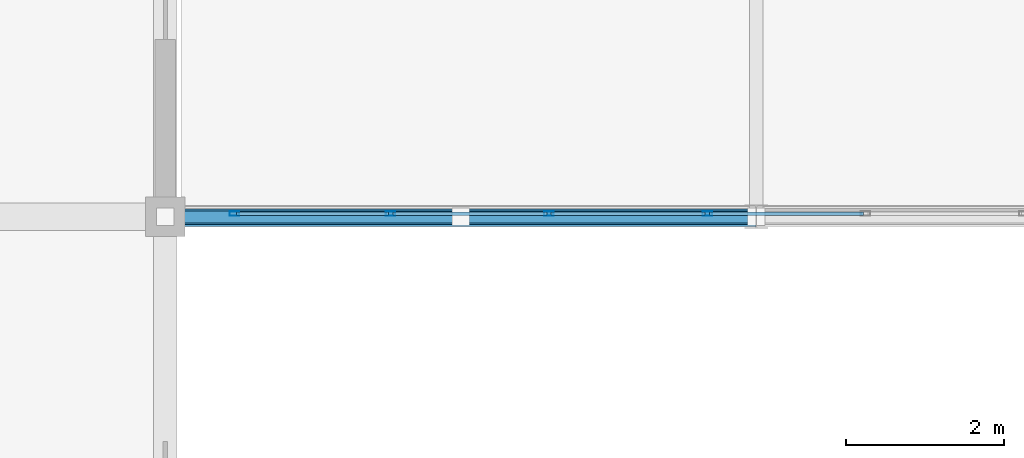
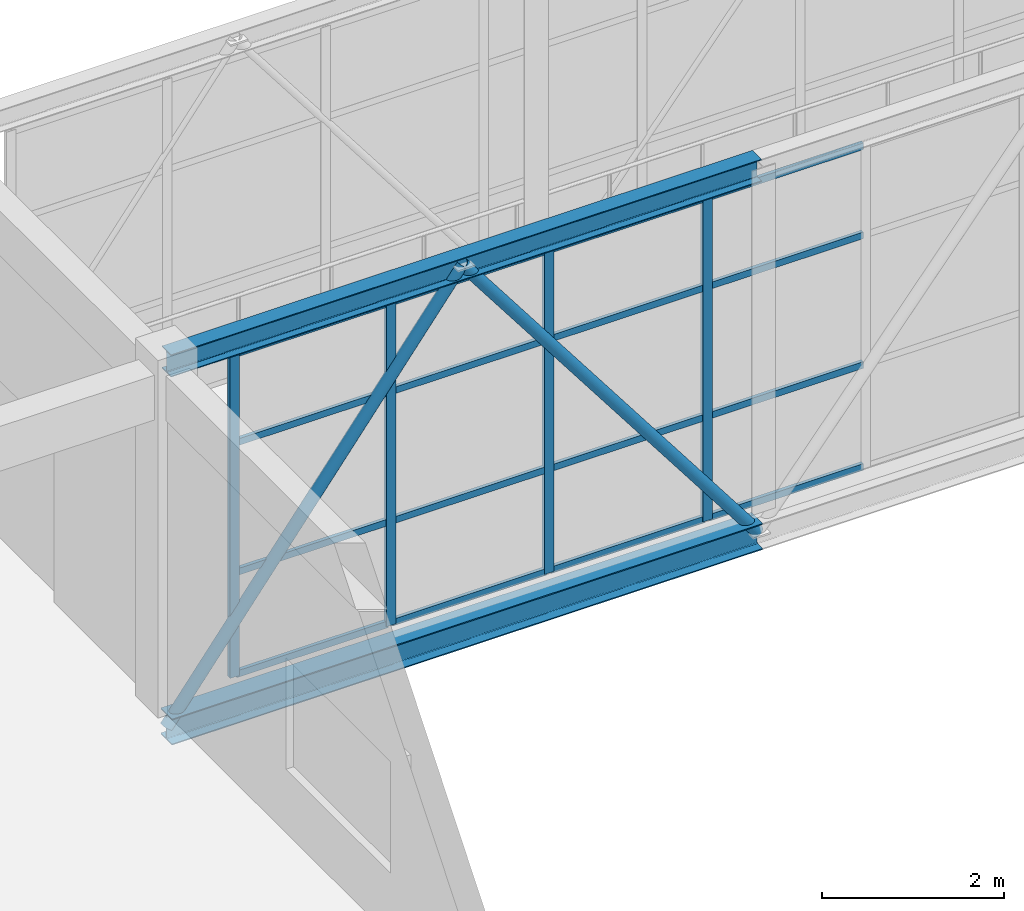
# One storey, part 23 of 248: 24 members, 1 element without a shape of its own.
"""IFC4 building model written with IfcOpenShell, lengths in metres."""

from ifc_helpers import new_model, si_unit, direction, frame, origin, origin_2d, place, context, subcontext, project, spatial, hollow_rectangle, hollow_circle, i_section, extrude, material, layer, layer_set, material_profile, profile_set, type_object, element, aggregate, save


model = new_model("IFC4")

# Units and contexts
model_context = context("Model", 3, precision=1e-05, world=origin(), true_north=direction((0.0, 1.0)))
body_context = subcontext(model_context, "Body", "Model", "MODEL_VIEW")
ifc_project = project(units=[si_unit("LENGTHUNIT", "METRE"), si_unit("AREAUNIT", "SQUARE_METRE"), si_unit("VOLUMEUNIT", "CUBIC_METRE"), si_unit("PLANEANGLEUNIT", "RADIAN"), si_unit("MASSUNIT", "GRAM", prefix="KILO")], contexts=[model_context])

# Site, building, storey
site_placement = place(None, origin())
site = spatial("IfcSite", under=ifc_project, at=site_placement, CompositionType="ELEMENT")
building_placement = place(site_placement, origin())
building = spatial("IfcBuilding", under=site, at=building_placement, Name="Canggui Botanical Conservatory", CompositionType="ELEMENT")
storey_placement = place(building_placement, frame((0.0, 0.0, 5.39990234375)))
storey = spatial("IfcBuildingStorey", under=building, at=storey_placement, Name="L02", CompositionType="ELEMENT", Elevation=5.39990234375)

# Curtain wall, members
ifc_material_1 = material(Name="Thermally Broken Aluminium", Category="aluminium")
ifc_layer = layer(ifc_material_1, 0.1201171875, Name="Thermally Broken Aluminium", Category="aluminium")
ifc_layer_set = layer_set([ifc_layer], Name="Thermally Broken Aluminium")
curtain_wall_type = type_object("IfcCurtainWallType", Name="CW-STICK-B", PredefinedType="USERDEFINED", material=ifc_layer_set)
curtain_wall_placement = place(storey_placement, origin())
curtain_wall = element("IfcCurtainWall", 1, at=curtain_wall_placement, inside=storey, type_object=curtain_wall_type, Name="Facade Curtain Wall CW-SB-01-1", ObjectType="STICK GLAZED WALL", PredefinedType="USERDEFINED")
ifc_material_profile_1 = material_profile(ifc_material_1, hollow_rectangle(XDim=0.054931640625, YDim=0.1201171875, WallThickness=0.0029296875, at=origin_2d()), Name="CWM 55x120x3")
ifc_profile_set_1 = profile_set([ifc_material_profile_1], Name="Thermally Broken Aluminium")
member_type_1 = type_object("IfcMemberType", Name="CWM-05", PredefinedType="MULLION", material=ifc_profile_set_1)
member_1_placement = place(storey_placement, frame((66.87744140625, 26.0400390625, 0.0), z_axis=(0.0, 0.0, 1.0), x_axis=(0.0, 1.0, 0.0)))
member_1 = element("IfcMember", 2, at=member_1_placement, type_object=member_type_1, Name="CW-05 mullion 1", PredefinedType="MULLION", context=body_context, shape_type="SweptSolid", body=[
    extrude(hollow_rectangle(XDim=0.054931640625, YDim=0.1201171875, WallThickness=0.0029296875, at=origin_2d()), origin(), (0.0, 0.0, 1.0), 4.35009765625),
])
member_2_placement = place(storey_placement, frame((68.859619140625, 26.0400390625, 0.0), z_axis=(0.0, 0.0, 1.0), x_axis=(0.0, 1.0, 0.0)))
member_2 = element("IfcMember", 3, at=member_2_placement, type_object=member_type_1, Name="CW-05 mullion 2", PredefinedType="MULLION", context=body_context, shape_type="SweptSolid", body=[
    extrude(hollow_rectangle(XDim=0.054931640625, YDim=0.1201171875, WallThickness=0.0029296875, at=origin_2d()), origin(), (0.0, 0.0, 1.0), 4.35009765625),
])
member_3_placement = place(storey_placement, frame((70.869384765625, 26.0400390625, 0.0), z_axis=(0.0, 0.0, 1.0), x_axis=(0.0, 1.0, 0.0)))
member_3 = element("IfcMember", 4, at=member_3_placement, type_object=member_type_1, Name="CW-05 mullion 3", PredefinedType="MULLION", context=body_context, shape_type="SweptSolid", body=[
    extrude(hollow_rectangle(XDim=0.054931640625, YDim=0.1201171875, WallThickness=0.0029296875, at=origin_2d()), origin(), (0.0, 0.0, 1.0), 4.35009765625),
])
member_4_placement = place(storey_placement, frame((72.879150390625, 26.0400390625, 0.0), z_axis=(0.0, 0.0, 1.0), x_axis=(0.0, 1.0, 0.0)))
member_4 = element("IfcMember", 5, at=member_4_placement, type_object=member_type_1, Name="CW-05 mullion 4", PredefinedType="MULLION", context=body_context, shape_type="SweptSolid", body=[
    extrude(hollow_rectangle(XDim=0.054931640625, YDim=0.1201171875, WallThickness=0.0029296875, at=origin_2d()), origin(), (0.0, 0.0, 1.0), 4.35009765625),
])
ifc_material_profile_2 = material_profile(ifc_material_1, hollow_rectangle(XDim=0.044921875, YDim=0.090087890625, WallThickness=0.0029296875, at=origin_2d()), Name="CWT 45x90x3")
ifc_profile_set_2 = profile_set([ifc_material_profile_2], Name="Thermally Broken Aluminium")
member_type_2 = type_object("IfcMemberType", Name="CWT-05", PredefinedType="USERDEFINED", material=ifc_profile_set_2)
member_5_placement = place(storey_placement, frame((66.905029296875, 26.0400390625, 0.022705078125), z_axis=(1.0, 0.0, 0.0), x_axis=(0.0, 1.0, 0.0)))
member_5 = element("IfcMember", 6, at=member_5_placement, type_object=member_type_2, Name="CW-05 transom 1.1", ObjectType="TRANSOM", PredefinedType="USERDEFINED", context=body_context, shape_type="SweptSolid", body=[
    extrude(hollow_rectangle(XDim=0.044921875, YDim=0.090087890625, WallThickness=0.0029296875, at=origin_2d()), origin(), (0.0, 0.0, 1.0), 1.92724609375),
])
member_6_placement = place(storey_placement, frame((66.905029296875, 26.0400390625, 1.39208984375), z_axis=(1.0, 0.0, 0.0), x_axis=(0.0, 1.0, 0.0)))
member_6 = element("IfcMember", 7, at=member_6_placement, type_object=member_type_2, Name="CW-05 transom 1.2", ObjectType="TRANSOM", PredefinedType="USERDEFINED", context=body_context, shape_type="SweptSolid", body=[
    extrude(hollow_rectangle(XDim=0.044921875, YDim=0.090087890625, WallThickness=0.0029296875, at=origin_2d()), origin(), (0.0, 0.0, 1.0), 1.92724609375),
])
member_7_placement = place(storey_placement, frame((66.905029296875, 26.0400390625, 3.132080078125), z_axis=(1.0, 0.0, 0.0), x_axis=(0.0, 1.0, 0.0)))
member_7 = element("IfcMember", 8, at=member_7_placement, type_object=member_type_2, Name="CW-05 transom 1.3", ObjectType="TRANSOM", PredefinedType="USERDEFINED", context=body_context, shape_type="SweptSolid", body=[
    extrude(hollow_rectangle(XDim=0.044921875, YDim=0.090087890625, WallThickness=0.0029296875, at=origin_2d()), origin(), (0.0, 0.0, 1.0), 1.92724609375),
])
member_8_placement = place(storey_placement, frame((66.905029296875, 26.0400390625, 4.32763671875), z_axis=(1.0, 0.0, 0.0), x_axis=(0.0, 1.0, 0.0)))
member_8 = element("IfcMember", 9, at=member_8_placement, type_object=member_type_2, Name="CW-05 transom 1.4", ObjectType="TRANSOM", PredefinedType="USERDEFINED", context=body_context, shape_type="SweptSolid", body=[
    extrude(hollow_rectangle(XDim=0.044921875, YDim=0.090087890625, WallThickness=0.0029296875, at=origin_2d()), origin(), (0.0, 0.0, 1.0), 1.92724609375),
])
member_9_placement = place(storey_placement, frame((68.88720703125, 26.0400390625, 0.022705078125), z_axis=(1.0, 0.0, 0.0), x_axis=(0.0, 1.0, 0.0)))
member_9 = element("IfcMember", 10, at=member_9_placement, type_object=member_type_2, Name="CW-05 transom 2.1", ObjectType="TRANSOM", PredefinedType="USERDEFINED", context=body_context, shape_type="SweptSolid", body=[
    extrude(hollow_rectangle(XDim=0.044921875, YDim=0.090087890625, WallThickness=0.0029296875, at=origin_2d()), origin(), (0.0, 0.0, 1.0), 1.95458984375),
])
member_10_placement = place(storey_placement, frame((68.88720703125, 26.0400390625, 1.39208984375), z_axis=(1.0, 0.0, 0.0), x_axis=(0.0, 1.0, 0.0)))
member_10 = element("IfcMember", 11, at=member_10_placement, type_object=member_type_2, Name="CW-05 transom 2.2", ObjectType="TRANSOM", PredefinedType="USERDEFINED", context=body_context, shape_type="SweptSolid", body=[
    extrude(hollow_rectangle(XDim=0.044921875, YDim=0.090087890625, WallThickness=0.0029296875, at=origin_2d()), origin(), (0.0, 0.0, 1.0), 1.95458984375),
])
member_11_placement = place(storey_placement, frame((68.88720703125, 26.0400390625, 3.132080078125), z_axis=(1.0, 0.0, 0.0), x_axis=(0.0, 1.0, 0.0)))
member_11 = element("IfcMember", 12, at=member_11_placement, type_object=member_type_2, Name="CW-05 transom 2.3", ObjectType="TRANSOM", PredefinedType="USERDEFINED", context=body_context, shape_type="SweptSolid", body=[
    extrude(hollow_rectangle(XDim=0.044921875, YDim=0.090087890625, WallThickness=0.0029296875, at=origin_2d()), origin(), (0.0, 0.0, 1.0), 1.95458984375),
])
member_12_placement = place(storey_placement, frame((68.88720703125, 26.0400390625, 4.32763671875), z_axis=(1.0, 0.0, 0.0), x_axis=(0.0, 1.0, 0.0)))
member_12 = element("IfcMember", 13, at=member_12_placement, type_object=member_type_2, Name="CW-05 transom 2.4", ObjectType="TRANSOM", PredefinedType="USERDEFINED", context=body_context, shape_type="SweptSolid", body=[
    extrude(hollow_rectangle(XDim=0.044921875, YDim=0.090087890625, WallThickness=0.0029296875, at=origin_2d()), origin(), (0.0, 0.0, 1.0), 1.95458984375),
])
member_13_placement = place(storey_placement, frame((70.89697265625, 26.0400390625, 0.022705078125), z_axis=(1.0, 0.0, 0.0), x_axis=(0.0, 1.0, 0.0)))
member_13 = element("IfcMember", 14, at=member_13_placement, type_object=member_type_2, Name="CW-05 transom 3.1", ObjectType="TRANSOM", PredefinedType="USERDEFINED", context=body_context, shape_type="SweptSolid", body=[
    extrude(hollow_rectangle(XDim=0.044921875, YDim=0.090087890625, WallThickness=0.0029296875, at=origin_2d()), origin(), (0.0, 0.0, 1.0), 1.95458984375),
])
member_14_placement = place(storey_placement, frame((70.89697265625, 26.0400390625, 1.39208984375), z_axis=(1.0, 0.0, 0.0), x_axis=(0.0, 1.0, 0.0)))
member_14 = element("IfcMember", 15, at=member_14_placement, type_object=member_type_2, Name="CW-05 transom 3.2", ObjectType="TRANSOM", PredefinedType="USERDEFINED", context=body_context, shape_type="SweptSolid", body=[
    extrude(hollow_rectangle(XDim=0.044921875, YDim=0.090087890625, WallThickness=0.0029296875, at=origin_2d()), origin(), (0.0, 0.0, 1.0), 1.95458984375),
])
member_15_placement = place(storey_placement, frame((70.89697265625, 26.0400390625, 3.132080078125), z_axis=(1.0, 0.0, 0.0), x_axis=(0.0, 1.0, 0.0)))
member_15 = element("IfcMember", 16, at=member_15_placement, type_object=member_type_2, Name="CW-05 transom 3.3", ObjectType="TRANSOM", PredefinedType="USERDEFINED", context=body_context, shape_type="SweptSolid", body=[
    extrude(hollow_rectangle(XDim=0.044921875, YDim=0.090087890625, WallThickness=0.0029296875, at=origin_2d()), origin(), (0.0, 0.0, 1.0), 1.95458984375),
])
member_16_placement = place(storey_placement, frame((70.89697265625, 26.0400390625, 4.32763671875), z_axis=(1.0, 0.0, 0.0), x_axis=(0.0, 1.0, 0.0)))
member_16 = element("IfcMember", 17, at=member_16_placement, type_object=member_type_2, Name="CW-05 transom 3.4", ObjectType="TRANSOM", PredefinedType="USERDEFINED", context=body_context, shape_type="SweptSolid", body=[
    extrude(hollow_rectangle(XDim=0.044921875, YDim=0.090087890625, WallThickness=0.0029296875, at=origin_2d()), origin(), (0.0, 0.0, 1.0), 1.95458984375),
])
member_17_placement = place(storey_placement, frame((72.906494140625, 26.0400390625, 0.022705078125), z_axis=(1.0, 0.0, 0.0), x_axis=(0.0, 1.0, 0.0)))
member_17 = element("IfcMember", 18, at=member_17_placement, type_object=member_type_2, Name="CW-05 transom 4.1", ObjectType="TRANSOM", PredefinedType="USERDEFINED", context=body_context, shape_type="SweptSolid", body=[
    extrude(hollow_rectangle(XDim=0.044921875, YDim=0.090087890625, WallThickness=0.0029296875, at=origin_2d()), origin(), (0.0, 0.0, 1.0), 1.954833984375),
])
member_18_placement = place(storey_placement, frame((72.906494140625, 26.0400390625, 1.39208984375), z_axis=(1.0, 0.0, 0.0), x_axis=(0.0, 1.0, 0.0)))
member_18 = element("IfcMember", 19, at=member_18_placement, type_object=member_type_2, Name="CW-05 transom 4.2", ObjectType="TRANSOM", PredefinedType="USERDEFINED", context=body_context, shape_type="SweptSolid", body=[
    extrude(hollow_rectangle(XDim=0.044921875, YDim=0.090087890625, WallThickness=0.0029296875, at=origin_2d()), origin(), (0.0, 0.0, 1.0), 1.954833984375),
])
member_19_placement = place(storey_placement, frame((72.906494140625, 26.0400390625, 3.132080078125), z_axis=(1.0, 0.0, 0.0), x_axis=(0.0, 1.0, 0.0)))
member_19 = element("IfcMember", 20, at=member_19_placement, type_object=member_type_2, Name="CW-05 transom 4.3", ObjectType="TRANSOM", PredefinedType="USERDEFINED", context=body_context, shape_type="SweptSolid", body=[
    extrude(hollow_rectangle(XDim=0.044921875, YDim=0.090087890625, WallThickness=0.0029296875, at=origin_2d()), origin(), (0.0, 0.0, 1.0), 1.954833984375),
])
member_20_placement = place(storey_placement, frame((72.906494140625, 26.0400390625, 4.32763671875), z_axis=(1.0, 0.0, 0.0), x_axis=(0.0, 1.0, 0.0)))
member_20 = element("IfcMember", 21, at=member_20_placement, type_object=member_type_2, Name="CW-05 transom 4.4", ObjectType="TRANSOM", PredefinedType="USERDEFINED", context=body_context, shape_type="SweptSolid", body=[
    extrude(hollow_rectangle(XDim=0.044921875, YDim=0.090087890625, WallThickness=0.0029296875, at=origin_2d()), origin(), (0.0, 0.0, 1.0), 1.954833984375),
])
aggregate(curtain_wall, [member_1, member_2, member_3, member_4, member_5, member_6, member_7, member_8, member_9, member_10, member_11, member_12, member_13, member_14, member_15, member_16, member_17, member_18, member_19, member_20])

# Members
ifc_material_2 = material(Name="Steel Q355C", Category="steel")
ifc_material_profile_3 = material_profile(ifc_material_2, hollow_circle(Radius=0.075927734375, WallThickness=0.006103515625, at=origin_2d()), Name="CHS 152x6")
ifc_profile_set_3 = profile_set([ifc_material_profile_3], Name="Steel Q355C")
member_type_3 = type_object("IfcMemberType", Name="MEM-GSD04", PredefinedType="RAFTER", material=ifc_profile_set_3)
for number, where, z_axis, x_axis, name in (
    (22, (66.0, 26.0, -0.349853515625), (0.607758481798, 0.0, 0.794121922505), (0.0, 1.0, 0.0), "SB-01 Truss Web Rafter 1.1A"),
    (23, (69.75, 26.0, 4.550048828125), (0.607758481798, 0.0, -0.794121922505), (0.0, 1.0, 0.0), "SB-01 Truss Web Rafter 1.1B"),
):
    element("IfcMember", number, at=place(storey_placement, frame(where, z_axis=z_axis, x_axis=x_axis)), inside=storey, type_object=member_type_3, Name=name, PredefinedType="RAFTER", context=body_context, shape_type="SweptSolid", body=[
        extrude(hollow_circle(Radius=0.075927734375, WallThickness=0.006103515625, at=origin_2d()), origin(), (0.0, 0.0, 1.0), 6.170166015625),
    ])
ifc_material_3 = material(Name="Steel Q355B", Category="steel")
ifc_material_profile_4 = material_profile(ifc_material_3, i_section(OverallWidth=0.25, OverallDepth=0.35009765625, WebThickness=0.009033203125, FlangeThickness=0.013916015625, FilletRadius=0.02001953125, at=origin_2d()), Name="HM 350x250x9x14")
ifc_profile_set_4 = profile_set([ifc_material_profile_4], Name="Steel Q355B")
member_type_4 = type_object("IfcMemberType", Name="MEM-TC03", PredefinedType="CHORD", material=ifc_profile_set_4)
member_21_placement = place(storey_placement, frame((66.0, 26.0, -0.349853515625), z_axis=(1.0, 0.0, 0.0), x_axis=(0.0, 1.0, 0.0)))
element("IfcMember", 24, at=member_21_placement, inside=storey, type_object=member_type_4, Name="SB-01 Deck Truss Bottom Chord 1.1", PredefinedType="CHORD", context=body_context, shape_type="SweptSolid", body=[
    extrude(i_section(OverallWidth=0.25, OverallDepth=0.35009765625, WebThickness=0.009033203125, FlangeThickness=0.013916015625, FilletRadius=0.02001953125, at=origin_2d()), origin(), (0.0, 0.0, 1.0), 7.5),
])
ifc_material_profile_5 = material_profile(ifc_material_3, i_section(OverallWidth=0.199951171875, OverallDepth=0.300048828125, WebThickness=0.008056640625, FlangeThickness=0.011962890625, FilletRadius=0.01806640625, at=origin_2d()), Name="HM 300x200x8x12")
ifc_profile_set_5 = profile_set([ifc_material_profile_5], Name="Steel Q355B")
member_type_5 = type_object("IfcMemberType", Name="MEM-TC04", PredefinedType="CHORD", material=ifc_profile_set_5)
member_22_placement = place(storey_placement, frame((66.0, 26.0, 4.550048828125), z_axis=(1.0, 0.0, 0.0), x_axis=(0.0, 1.0, 0.0)))
element("IfcMember", 25, at=member_22_placement, inside=storey, type_object=member_type_5, Name="SB-01 Roof Truss Top Chord 1.1", PredefinedType="CHORD", context=body_context, shape_type="SweptSolid", body=[
    extrude(i_section(OverallWidth=0.199951171875, OverallDepth=0.300048828125, WebThickness=0.008056640625, FlangeThickness=0.011962890625, FilletRadius=0.01806640625, at=origin_2d()), origin(), (0.0, 0.0, 1.0), 7.5),
])

save(model, "model.ifc")
